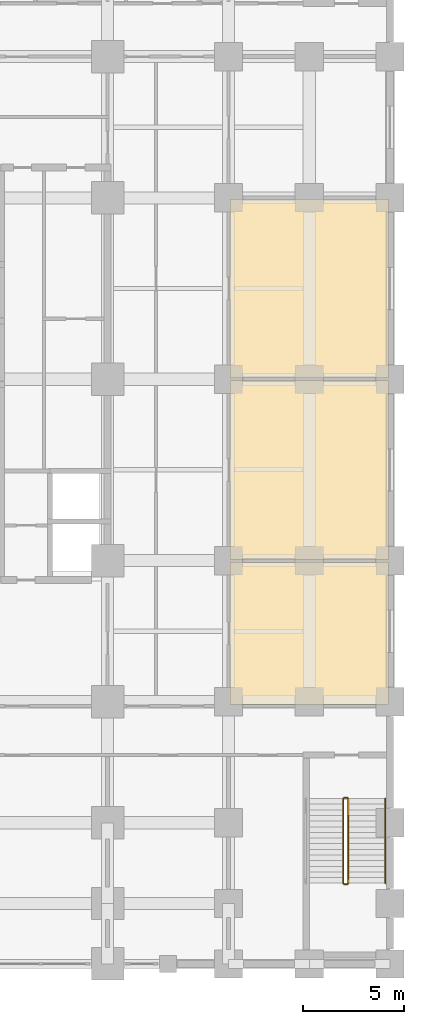
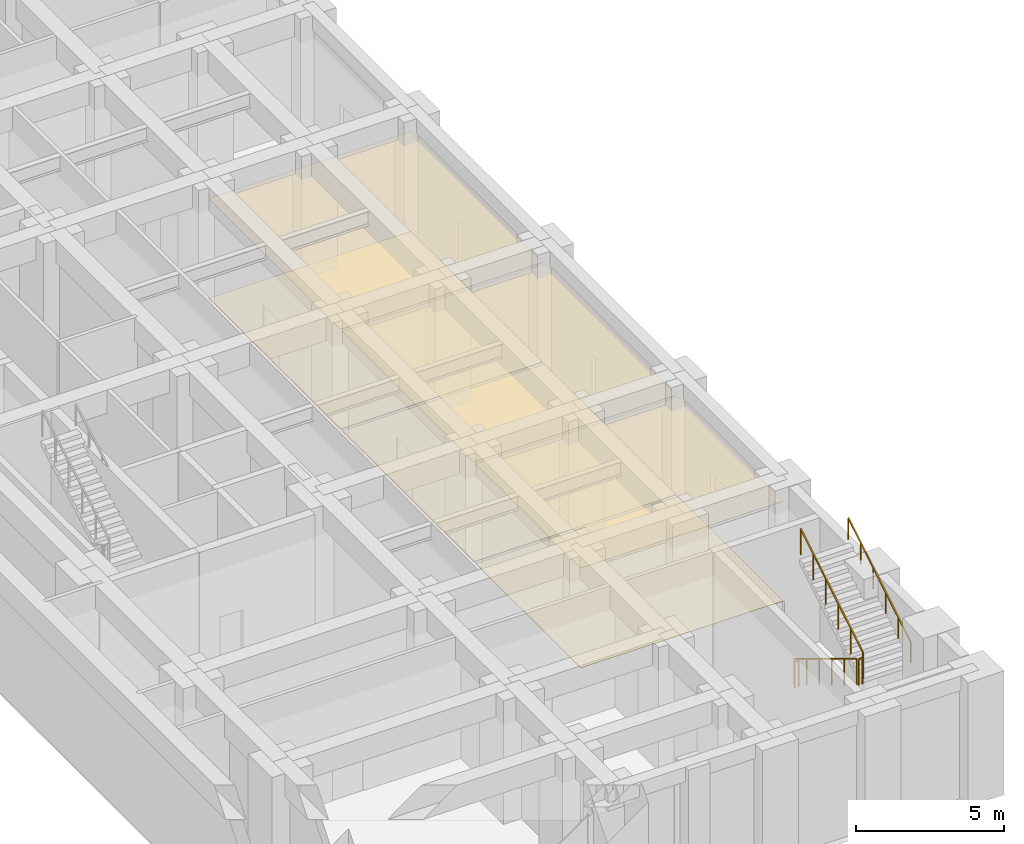
# One storey, part 20 of 21: 6 coverings, 5 railings.
"""IFC4 building model written with IfcOpenShell, lengths in metres."""

from ifc_helpers import new_model, si_unit, direction, frame, origin, origin_2d, place, context, subcontext, project, spatial, polyline, rectangle, outline, extrude, material, layer, layer_set, type_object, element, save


model = new_model("IFC4")

# Units and contexts
model_context = context("Model", 3, precision=1e-05, world=origin(), true_north=direction((0.0, 1.0)))
body_context = subcontext(model_context, "Body", "Model", "MODEL_VIEW")
ifc_project = project(units=[si_unit("LENGTHUNIT", "METRE"), si_unit("AREAUNIT", "SQUARE_METRE"), si_unit("VOLUMEUNIT", "CUBIC_METRE"), si_unit("PLANEANGLEUNIT", "RADIAN"), si_unit("MASSUNIT", "GRAM", prefix="KILO")], contexts=[model_context])

# Site, building, storey
site_placement = place(None, origin())
site = spatial("IfcSite", under=ifc_project, at=site_placement, CompositionType="ELEMENT")
building_placement = place(site_placement, origin())
building = spatial("IfcBuilding", under=site, at=building_placement, Name="Zulmaris Gate Convention Tower", CompositionType="ELEMENT")
storey_placement = place(building_placement, frame((0.0, 0.0, 5.43994140625)))
storey = spatial("IfcBuildingStorey", under=building, at=storey_placement, Name="L01", CompositionType="ELEMENT", Elevation=5.43994140625)

# Coverings
ifc_material_1 = material(Name="Mineral Fibre Acoustic Ceiling Tile")
ifc_layer_1 = layer(ifc_material_1, 0.02001953125, Name="Mineral Fibre Acoustic Ceiling Tile")
ifc_layer_set_1 = layer_set([ifc_layer_1], Name="Mineral Fibre Acoustic Ceiling Tile")
covering_type_1 = type_object("IfcCoveringType", Name="CLG-ACOUSTIC-600", PredefinedType="CEILING", material=ifc_layer_set_1)
covering_1_placement = place(storey_placement, frame((0.0, 0.0, 4.099853515625)))
element("IfcCovering", 1, at=covering_1_placement, inside=storey, type_object=covering_type_1, Name="CLG-L01-R76", PredefinedType="CEILING", context=body_context, shape_type="SweptSolid", body=[
    extrude(outline(polyline([(26.06005859375, -16.139892578125), (33.93994140625, -16.139892578125), (33.93994140625, -9.06005859375), (26.06005859375, -9.06005859375), (26.06005859375, -16.139892578125)])), origin(), (0.0, 0.0, 1.0), 0.02001953125),
])
covering_2_placement = place(storey_placement, frame((0.0, 0.0, 4.099853515625)))
element("IfcCovering", 2, at=covering_2_placement, inside=storey, type_object=covering_type_1, Name="CLG-L01-R77", PredefinedType="CEILING", context=body_context, shape_type="SweptSolid", body=[
    extrude(outline(polyline([(26.06005859375, -8.93994140625), (33.93994140625, -8.93994140625), (33.93994140625, -0.06005859375), (26.06005859375, -0.06005859375), (26.06005859375, -8.93994140625)])), origin(), (0.0, 0.0, 1.0), 0.02001953125),
])
covering_3_placement = place(storey_placement, frame((0.0, 0.0, 4.099853515625)))
element("IfcCovering", 3, at=covering_3_placement, inside=storey, type_object=covering_type_1, Name="CLG-L01-R78", PredefinedType="CEILING", context=body_context, shape_type="SweptSolid", body=[
    extrude(outline(polyline([(26.06005859375, 0.06005859375), (33.93994140625, 0.06005859375), (33.93994140625, 8.93994140625), (26.06005859375, 8.93994140625), (26.06005859375, 0.06005859375)])), origin(), (0.0, 0.0, 1.0), 0.02001953125),
])
ifc_material_2 = material(Name="Engineered Teak Parquet Flooring")
ifc_layer_2 = layer(ifc_material_2, 0.02001953125, Name="Engineered Teak Parquet Flooring")
ifc_layer_set_2 = layer_set([ifc_layer_2], Name="Engineered Teak Parquet Flooring")
covering_type_2 = type_object("IfcCoveringType", Name="FLR-TIMBER-18", PredefinedType="FLOORING", material=ifc_layer_set_2)
covering_4_placement = place(storey_placement, origin())
element("IfcCovering", 4, at=covering_4_placement, inside=storey, type_object=covering_type_2, Name="FLR-L01-R76", PredefinedType="FLOORING", context=body_context, shape_type="SweptSolid", body=[
    extrude(outline(polyline([(26.06005859375, -16.139892578125), (33.93994140625, -16.139892578125), (33.93994140625, -9.06005859375), (26.06005859375, -9.06005859375), (26.06005859375, -16.139892578125)])), origin(), (0.0, 0.0, 1.0), 0.02001953125),
])
covering_5_placement = place(storey_placement, origin())
element("IfcCovering", 5, at=covering_5_placement, inside=storey, type_object=covering_type_2, Name="FLR-L01-R77", PredefinedType="FLOORING", context=body_context, shape_type="SweptSolid", body=[
    extrude(outline(polyline([(26.06005859375, -8.93994140625), (33.93994140625, -8.93994140625), (33.93994140625, -0.06005859375), (26.06005859375, -0.06005859375), (26.06005859375, -8.93994140625)])), origin(), (0.0, 0.0, 1.0), 0.02001953125),
])
covering_6_placement = place(storey_placement, origin())
element("IfcCovering", 6, at=covering_6_placement, inside=storey, type_object=covering_type_2, Name="FLR-L01-R78", PredefinedType="FLOORING", context=body_context, shape_type="SweptSolid", body=[
    extrude(outline(polyline([(26.06005859375, 0.06005859375), (33.93994140625, 0.06005859375), (33.93994140625, 8.93994140625), (26.06005859375, 8.93994140625), (26.06005859375, 0.06005859375)])), origin(), (0.0, 0.0, 1.0), 0.02001953125),
])

# Railings
ifc_material_3 = material(Name="Painted Galvanised Steel", Category="steel")
railing_type_1 = type_object("IfcRailingType", Name="RL-STG-1150", PredefinedType="GUARDRAIL", material=ifc_material_3)
railing_1_placement = place(storey_placement, frame((31.679931640625, -20.800048828125, 0.169921875)))
element("IfcRailing", 7, at=railing_1_placement, inside=storey, type_object=railing_type_1, Name="L01 ST-6 stair guard 1", PredefinedType="GUARDRAIL", context=body_context, shape_type="SweptSolid", body=[
    extrude(rectangle(XDim=0.048095703125, YDim=0.048095703125, at=origin_2d()), frame((0.0, 0.0, 1.076171875), z_axis=(0.0, -0.854780430106, 0.518989803665), x_axis=(1.0, 0.0, 0.0)), (0.0, 0.0, 1.0), 4.91357421875),
    extrude(rectangle(XDim=0.0419921875, YDim=0.0419921875, at=origin_2d()), origin(), (0.0, 0.0, 1.0), 1.052001953125),
    extrude(rectangle(XDim=0.0419921875, YDim=0.0419921875, at=origin_2d()), frame((0.0, -0.840087890625, 0.510009765625)), (0.0, 0.0, 1.0), 1.052001953125),
    extrude(rectangle(XDim=0.0419921875, YDim=0.0419921875, at=origin_2d()), frame((0.0, -1.679931640625, 1.02001953125)), (0.0, 0.0, 1.0), 1.052001953125),
    extrude(rectangle(XDim=0.0419921875, YDim=0.0419921875, at=origin_2d()), frame((0.0, -2.52001953125, 1.530029296875)), (0.0, 0.0, 1.0), 1.052001953125),
    extrude(rectangle(XDim=0.0419921875, YDim=0.0419921875, at=origin_2d()), frame((0.0, -3.35986328125, 2.0400390625)), (0.0, 0.0, 1.0), 1.052001953125),
    extrude(rectangle(XDim=0.0419921875, YDim=0.0419921875, at=origin_2d()), frame((0.0, -4.199951171875, 2.550048828125)), (0.0, 0.0, 1.0), 1.052001953125),
])
railing_2_placement = place(storey_placement, frame((31.72998046875, -25.050048828125, 2.719970703125)))
element("IfcRailing", 8, at=railing_2_placement, inside=storey, type_object=railing_type_1, Name="L01 ST-6 stair guard 2", PredefinedType="GUARDRAIL", context=body_context, shape_type="SweptSolid", body=[
    extrude(rectangle(XDim=0.048095703125, YDim=0.048095703125, at=origin_2d()), frame((0.0, 0.0, 1.076171875), z_axis=(1.0, 0.0, 0.0), x_axis=(0.0, 1.0, 0.0)), (0.0, 0.0, 1.0), 0.14990234375),
    extrude(rectangle(XDim=0.0419921875, YDim=0.0419921875, at=origin_2d()), origin(), (0.0, 0.0, 1.0), 1.052001953125),
    extrude(rectangle(XDim=0.0419921875, YDim=0.0419921875, at=origin_2d()), frame((0.14990234375, 0.0, 0.0)), (0.0, 0.0, 1.0), 1.052001953125),
])
railing_3_placement = place(storey_placement, frame((31.929931640625, -25.0, 2.889892578125)))
element("IfcRailing", 9, at=railing_3_placement, inside=storey, type_object=railing_type_1, Name="L01 ST-6 stair guard 3", PredefinedType="GUARDRAIL", context=body_context, shape_type="SweptSolid", body=[
    extrude(rectangle(XDim=0.048095703125, YDim=0.048095703125, at=origin_2d()), frame((0.0, 0.0, 1.076171875), z_axis=(0.0, 0.854780430106, 0.518989803665), x_axis=(-1.0, 0.0, 0.0)), (0.0, 0.0, 1.0), 4.91357421875),
    extrude(rectangle(XDim=0.0419921875, YDim=0.0419921875, at=origin_2d()), origin(), (0.0, 0.0, 1.0), 1.052001953125),
    extrude(rectangle(XDim=0.0419921875, YDim=0.0419921875, at=origin_2d()), frame((0.0, 0.840087890625, 0.510009765625)), (0.0, 0.0, 1.0), 1.052001953125),
    extrude(rectangle(XDim=0.0419921875, YDim=0.0419921875, at=origin_2d()), frame((0.0, 1.679931640625, 1.02001953125)), (0.0, 0.0, 1.0), 1.052001953125),
    extrude(rectangle(XDim=0.0419921875, YDim=0.0419921875, at=origin_2d()), frame((0.0, 2.52001953125, 1.530029296875)), (0.0, 0.0, 1.0), 1.052001953125),
    extrude(rectangle(XDim=0.0419921875, YDim=0.0419921875, at=origin_2d()), frame((0.0, 3.35986328125, 2.0400390625)), (0.0, 0.0, 1.0), 1.052001953125),
    extrude(rectangle(XDim=0.0419921875, YDim=0.0419921875, at=origin_2d()), frame((0.0, 4.199951171875, 2.550048828125)), (0.0, 0.0, 1.0), 1.052001953125),
])
railing_4_placement = place(storey_placement, frame((31.72998046875, -20.75, 0.0)))
element("IfcRailing", 10, at=railing_4_placement, inside=storey, type_object=railing_type_1, Name="L01 ST-6 stair guard 4", PredefinedType="GUARDRAIL", context=body_context, shape_type="SweptSolid", body=[
    extrude(rectangle(XDim=0.048095703125, YDim=0.048095703125, at=origin_2d()), frame((0.0, 0.0, 1.076171875), z_axis=(1.0, 0.0, 0.0), x_axis=(0.0, 1.0, 0.0)), (0.0, 0.0, 1.0), 0.14990234375),
    extrude(rectangle(XDim=0.0419921875, YDim=0.0419921875, at=origin_2d()), origin(), (0.0, 0.0, 1.0), 1.052001953125),
    extrude(rectangle(XDim=0.0419921875, YDim=0.0419921875, at=origin_2d()), frame((0.14990234375, 0.0, 0.0)), (0.0, 0.0, 1.0), 1.052001953125),
])
ifc_material_4 = material(Name="Brushed Stainless Steel", Category="steel")
railing_type_2 = type_object("IfcRailingType", Name="RL-STH-900", PredefinedType="HANDRAIL", material=ifc_material_4)
railing_5_placement = place(storey_placement, frame((33.780029296875, -25.0, 2.889892578125)))
element("IfcRailing", 11, at=railing_5_placement, inside=storey, type_object=railing_type_2, Name="L01 ST-6 stair handrail 2", PredefinedType="HANDRAIL", context=body_context, shape_type="SweptSolid", body=[
    extrude(rectangle(XDim=0.048095703125, YDim=0.048095703125, at=origin_2d()), frame((0.0, 0.0, 0.8759765625), z_axis=(0.0, 0.854780430106, 0.518989803665), x_axis=(-1.0, 0.0, 0.0)), (0.0, 0.0, 1.0), 4.91357421875),
    extrude(rectangle(XDim=0.0419921875, YDim=0.0419921875, at=origin_2d()), origin(), (0.0, 0.0, 1.0), 0.851806640625),
    extrude(rectangle(XDim=0.0419921875, YDim=0.0419921875, at=origin_2d()), frame((0.0, 0.840087890625, 0.510009765625)), (0.0, 0.0, 1.0), 0.851806640625),
    extrude(rectangle(XDim=0.0419921875, YDim=0.0419921875, at=origin_2d()), frame((0.0, 1.679931640625, 1.02001953125)), (0.0, 0.0, 1.0), 0.851806640625),
    extrude(rectangle(XDim=0.0419921875, YDim=0.0419921875, at=origin_2d()), frame((0.0, 2.52001953125, 1.530029296875)), (0.0, 0.0, 1.0), 0.851806640625),
    extrude(rectangle(XDim=0.0419921875, YDim=0.0419921875, at=origin_2d()), frame((0.0, 3.35986328125, 2.0400390625)), (0.0, 0.0, 1.0), 0.851806640625),
    extrude(rectangle(XDim=0.0419921875, YDim=0.0419921875, at=origin_2d()), frame((0.0, 4.199951171875, 2.550048828125)), (0.0, 0.0, 1.0), 0.851806640625),
])

save(model, "model.ifc")
